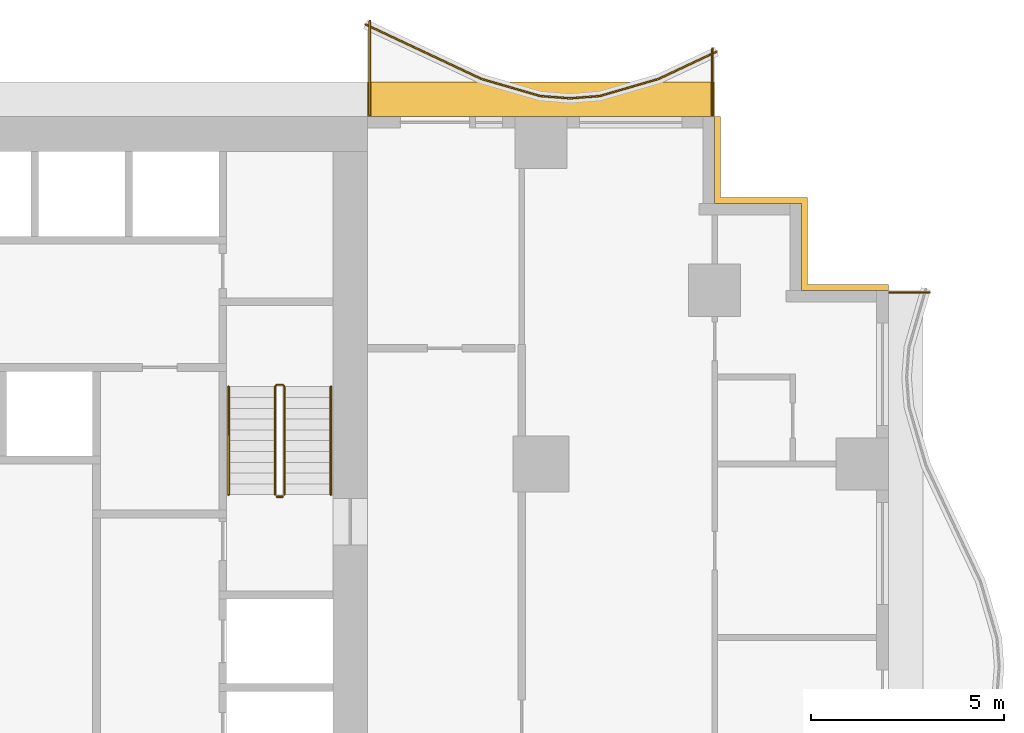
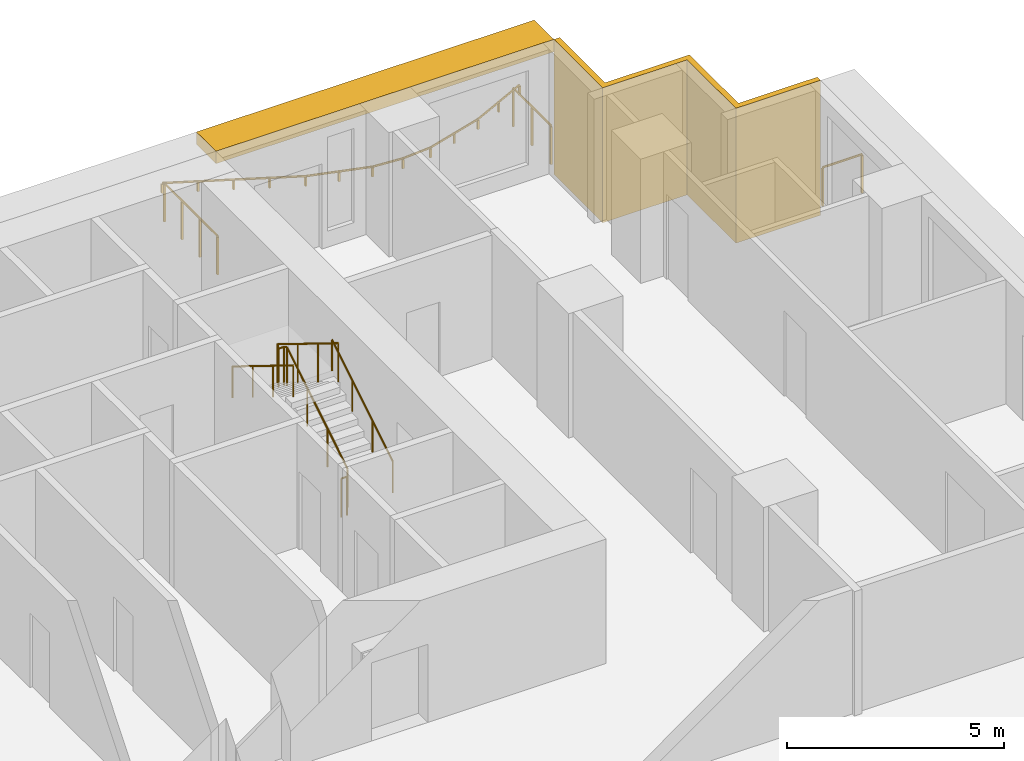
# One storey, part 14 of 14: 8 railings, 2 shading devices.
"""IFC4 building model written with IfcOpenShell, lengths in metres."""

from ifc_helpers import new_model, si_unit, direction, frame, origin, origin_2d, place, context, subcontext, project, spatial, polyline, rectangle, circle, outline, extrude, material, layer, layer_set, type_object, element, save


model = new_model("IFC4")

# Units and contexts
model_context = context("Model", 3, precision=1e-05, world=origin(), true_north=direction((0.0, 1.0)))
body_context = subcontext(model_context, "Body", "Model", "MODEL_VIEW")
ifc_project = project(units=[si_unit("LENGTHUNIT", "METRE"), si_unit("AREAUNIT", "SQUARE_METRE"), si_unit("VOLUMEUNIT", "CUBIC_METRE"), si_unit("PLANEANGLEUNIT", "RADIAN"), si_unit("MASSUNIT", "GRAM", prefix="KILO")], contexts=[model_context])

# Site, building, storey
site_placement = place(None, origin())
site = spatial("IfcSite", under=ifc_project, at=site_placement, CompositionType="ELEMENT")
building_placement = place(site_placement, origin())
building = spatial("IfcBuilding", under=site, at=building_placement, Name="Orbiselva Terraces", CompositionType="ELEMENT")
storey_placement = place(building_placement, frame((0.0, 0.0, 60.6)))
storey = spatial("IfcBuildingStorey", under=building, at=storey_placement, Name="L15", CompositionType="ELEMENT", Elevation=60.6)

# Railings
ifc_material_1 = material(Name="Stainless steel", Category="steel")
railing_type_1 = type_object("IfcRailingType", Name="CORE-GUARD-1100", PredefinedType="GUARDRAIL", material=ifc_material_1)
railing_1_placement = place(storey_placement, frame((11.35, 12.7, 0.172727)))
element("IfcRailing", 1, at=railing_1_placement, inside=storey, type_object=railing_type_1, Name="L15 S2 stair guard 1", PredefinedType="GUARDRAIL", context=body_context, shape_type="SweptSolid", body=[
    extrude(circle(Radius=0.024, at=origin_2d()), frame((0.0, 0.0, 1.081), z_axis=(0.0, 0.851088519012, 0.52502222125), x_axis=(-1.0, 0.0, 0.0)), (0.0, 0.0, 1.0), 3.289905),
    extrude(circle(Radius=0.024, at=origin_2d()), frame((0.0, 2.8, 2.808273), z_axis=(-0.707106781187, 0.707106781187, 0.0), x_axis=(-0.707106781187, -0.707106781187, 0.0)), (0.0, 0.0, 1.0), 0.070711),
    extrude(circle(Radius=0.024, at=origin_2d()), frame((-0.05, 2.85, 2.808273), z_axis=(-1.0, 0.0, 0.0), x_axis=(0.0, -1.0, 0.0)), (0.0, 0.0, 1.0), 0.15),
    extrude(circle(Radius=0.024, at=origin_2d()), frame((-0.2, 2.85, 2.808273), z_axis=(-0.267894925557, -0.267894925557, 0.925453736133), x_axis=(0.707106781187, -0.707106781187, 0.0)), (0.0, 0.0, 1.0), 0.18664),
    extrude(circle(Radius=0.024, at=origin_2d()), frame((-0.25, 2.8, 2.981), z_axis=(0.0, -0.851088519012, 0.52502222125), x_axis=(1.0, 0.0, 0.0)), (0.0, 0.0, 1.0), 3.289905),
    extrude(circle(Radius=0.021, at=origin_2d()), origin(), (0.0, 0.0, 1.0), 1.057),
    extrude(circle(Radius=0.021, at=origin_2d()), frame((0.0, 0.933333, 0.575758)), (0.0, 0.0, 1.0), 1.057),
    extrude(circle(Radius=0.021, at=origin_2d()), frame((0.0, 1.866667, 1.151515)), (0.0, 0.0, 1.0), 1.057),
    extrude(circle(Radius=0.021, at=origin_2d()), frame((0.0, 2.8, 1.727273)), (0.0, 0.0, 1.0), 1.057),
    extrude(circle(Radius=0.021, at=origin_2d()), frame((-0.05, 2.85, 1.727273)), (0.0, 0.0, 1.0), 1.057),
    extrude(circle(Radius=0.021, at=origin_2d()), frame((-0.2, 2.85, 1.727273)), (0.0, 0.0, 1.0), 1.057),
    extrude(circle(Radius=0.021, at=origin_2d()), frame((-0.25, 2.8, 1.9)), (0.0, 0.0, 1.0), 1.057),
    extrude(circle(Radius=0.021, at=origin_2d()), frame((-0.25, 1.866667, 2.475758)), (0.0, 0.0, 1.0), 1.057),
    extrude(circle(Radius=0.021, at=origin_2d()), frame((-0.25, 0.933333, 3.051515)), (0.0, 0.0, 1.0), 1.057),
    extrude(circle(Radius=0.021, at=origin_2d()), frame((-0.25, 0.0, 3.627273)), (0.0, 0.0, 1.0), 1.057),
])
railing_2_placement = place(storey_placement, frame((11.3, 12.65, 0.0)))
element("IfcRailing", 2, at=railing_2_placement, inside=storey, type_object=railing_type_1, Name="L15 S2 stair guard 2", PredefinedType="GUARDRAIL", context=body_context, shape_type="SweptSolid", body=[
    extrude(circle(Radius=0.024, at=origin_2d()), frame((0.0, 0.0, 1.081), z_axis=(-1.0, 0.0, 0.0), x_axis=(0.0, -1.0, 0.0)), (0.0, 0.0, 1.0), 0.15),
    extrude(circle(Radius=0.021, at=origin_2d()), origin(), (0.0, 0.0, 1.0), 1.057),
    extrude(circle(Radius=0.021, at=origin_2d()), frame((-0.15, 0.0, 0.0)), (0.0, 0.0, 1.0), 1.057),
])
railing_type_2 = type_object("IfcRailingType", Name="CORE-HANDRAIL-900", PredefinedType="HANDRAIL", material=ifc_material_1)
railing_3_placement = place(storey_placement, frame((12.55, 12.7, 0.172727)))
element("IfcRailing", 3, at=railing_3_placement, inside=storey, type_object=railing_type_2, Name="L15 S2 stair handrail 1", PredefinedType="HANDRAIL", context=body_context, shape_type="SweptSolid", body=[
    extrude(circle(Radius=0.024, at=origin_2d()), frame((0.0, 0.0, 0.876), z_axis=(0.0, 0.851088519012, 0.52502222125), x_axis=(-1.0, 0.0, 0.0)), (0.0, 0.0, 1.0), 3.289905),
    extrude(circle(Radius=0.021, at=origin_2d()), origin(), (0.0, 0.0, 1.0), 0.852),
    extrude(circle(Radius=0.021, at=origin_2d()), frame((0.0, 0.933333, 0.575758)), (0.0, 0.0, 1.0), 0.852),
    extrude(circle(Radius=0.021, at=origin_2d()), frame((0.0, 1.866667, 1.151515)), (0.0, 0.0, 1.0), 0.852),
    extrude(circle(Radius=0.021, at=origin_2d()), frame((0.0, 2.8, 1.727273)), (0.0, 0.0, 1.0), 0.852),
])
railing_4_placement = place(storey_placement, frame((9.9, 15.5, 2.072727)))
element("IfcRailing", 4, at=railing_4_placement, inside=storey, type_object=railing_type_2, Name="L15 S2 stair handrail 2", PredefinedType="HANDRAIL", context=body_context, shape_type="SweptSolid", body=[
    extrude(circle(Radius=0.024, at=origin_2d()), frame((0.0, 0.0, 0.876), z_axis=(0.0, -0.851088519012, 0.52502222125), x_axis=(1.0, 0.0, 0.0)), (0.0, 0.0, 1.0), 3.289905),
    extrude(circle(Radius=0.021, at=origin_2d()), origin(), (0.0, 0.0, 1.0), 0.852),
    extrude(circle(Radius=0.021, at=origin_2d()), frame((0.0, -0.933333, 0.575758)), (0.0, 0.0, 1.0), 0.852),
    extrude(circle(Radius=0.021, at=origin_2d()), frame((0.0, -1.866667, 1.151515)), (0.0, 0.0, 1.0), 0.852),
    extrude(circle(Radius=0.021, at=origin_2d()), frame((0.0, -2.8, 1.727273)), (0.0, 0.0, 1.0), 0.852),
])
ifc_material_2 = material(Name="Bonded two-ply safety glass balustrade, stainless steel posts", Category="steel")
railing_type_3 = type_object("IfcRailingType", Name="ENV-BALUSTRADE-1200", PredefinedType="BALUSTRADE", material=ifc_material_2)
railing_5_placement = place(storey_placement, frame((22.553191, 24.186882, 0.9)))
element("IfcRailing", 5, at=railing_5_placement, inside=storey, type_object=railing_type_3, Name="Balcony balustrade L15 NE", PredefinedType="BALUSTRADE", context=body_context, shape_type="SweptSolid", body=[
    extrude(outline(polyline([(0.028868, 0.0), (0.014434, 0.025), (-0.014434, 0.025), (-0.028868, 0.0), (-0.014434, -0.025), (0.014434, -0.025), (0.028868, 0.0)])), frame((0.0, 0.0, 0.275), z_axis=(-0.904944157382, -0.425530342069, 0.0), x_axis=(0.425530342069, -0.904944157382, 0.0)), (0.0, 0.0, 1.0), 1.667376),
    extrude(outline(polyline([(0.028868, 0.0), (0.014434, 0.025), (-0.014434, 0.025), (-0.028868, 0.0), (-0.014434, -0.025), (0.014434, -0.025), (0.028868, 0.0)])), frame((-1.508882, -0.709519, 0.275), z_axis=(-0.960270491427, -0.279070928786, 0.0), x_axis=(0.279070928786, -0.960270491427, 0.0)), (0.0, 0.0, 1.0), 1.584712),
    extrude(outline(polyline([(0.028868, 0.0), (0.014434, 0.025), (-0.014434, 0.025), (-0.028868, 0.0), (-0.014434, -0.025), (0.014434, -0.025), (0.028868, 0.0)])), frame((-3.030634, -1.151766, 0.275), z_axis=(-0.996947796737, -0.078071061106, 0.0), x_axis=(0.078071061106, -0.996947796737, 0.0)), (0.0, 0.0, 1.0), 0.774922),
    extrude(outline(polyline([(0.028868, 0.0), (0.014434, 0.025), (-0.014434, 0.025), (-0.028868, 0.0), (-0.014434, -0.025), (0.014434, -0.025), (0.028868, 0.0)])), frame((-3.803191, -1.212265, 0.275), z_axis=(-0.996947796737, 0.078071061106, 0.0), x_axis=(-0.078071061106, -0.996947796737, 0.0)), (0.0, 0.0, 1.0), 0.774922),
    extrude(outline(polyline([(0.028868, 0.0), (0.014434, 0.025), (-0.014434, 0.025), (-0.028868, 0.0), (-0.014434, -0.025), (0.014434, -0.025), (0.028868, 0.0)])), frame((-4.575748, -1.151766, 0.275), z_axis=(-0.960270491427, 0.279070928786, 0.0), x_axis=(-0.279070928786, -0.960270491427, 0.0)), (0.0, 0.0, 1.0), 1.584712),
    extrude(outline(polyline([(0.028868, 0.0), (0.014434, 0.025), (-0.014434, 0.025), (-0.028868, 0.0), (-0.014434, -0.025), (0.014434, -0.025), (0.028868, 0.0)])), frame((-6.0975, -0.709519, 0.275), z_axis=(-0.904944157382, 0.425530342069, 0.0), x_axis=(-0.425530342069, -0.904944157382, 0.0)), (0.0, 0.0, 1.0), 1.667376),
    extrude(outline(polyline([(0.028868, 0.0), (0.014434, 0.025), (-0.014434, 0.025), (-0.028868, 0.0), (-0.014434, -0.025), (0.014434, -0.025), (0.028868, 0.0)])), frame((-7.606382, 0.0, 0.275), z_axis=(-0.904944257823, 0.425530128467, 0.0), x_axis=(-0.425530128467, -0.904944257823, 0.0)), (0.0, 0.0, 1.0), 1.657561),
    extrude(rectangle(XDim=0.05, YDim=0.05, at=origin_2d()), origin(), (0.0, 0.0, 1.0), 0.25),
    extrude(rectangle(XDim=0.05, YDim=0.05, at=origin_2d()), frame((-0.754441, -0.35476, 0.0)), (0.0, 0.0, 1.0), 0.25),
    extrude(rectangle(XDim=0.05, YDim=0.05, at=origin_2d()), frame((-1.508882, -0.709519, 0.0)), (0.0, 0.0, 1.0), 0.25),
    extrude(rectangle(XDim=0.05, YDim=0.05, at=origin_2d()), frame((-2.269758, -0.930643, 0.0)), (0.0, 0.0, 1.0), 0.25),
    extrude(rectangle(XDim=0.05, YDim=0.05, at=origin_2d()), frame((-3.030634, -1.151766, 0.0)), (0.0, 0.0, 1.0), 0.25),
    extrude(rectangle(XDim=0.05, YDim=0.05, at=origin_2d()), frame((-3.803191, -1.212265, 0.0)), (0.0, 0.0, 1.0), 0.25),
    extrude(rectangle(XDim=0.05, YDim=0.05, at=origin_2d()), frame((-4.575748, -1.151766, 0.0)), (0.0, 0.0, 1.0), 0.25),
    extrude(rectangle(XDim=0.05, YDim=0.05, at=origin_2d()), frame((-5.336624, -0.930643, 0.0)), (0.0, 0.0, 1.0), 0.25),
    extrude(rectangle(XDim=0.05, YDim=0.05, at=origin_2d()), frame((-6.0975, -0.709519, 0.0)), (0.0, 0.0, 1.0), 0.25),
    extrude(rectangle(XDim=0.05, YDim=0.05, at=origin_2d()), frame((-6.851941, -0.35476, 0.0)), (0.0, 0.0, 1.0), 0.25),
    extrude(rectangle(XDim=0.05, YDim=0.05, at=origin_2d()), frame((-7.606382, 0.0, 0.0)), (0.0, 0.0, 1.0), 0.25),
    extrude(rectangle(XDim=0.05, YDim=0.05, at=origin_2d()), frame((-8.356382, 0.352671, 0.0)), (0.0, 0.0, 1.0), 0.25),
    extrude(rectangle(XDim=0.05, YDim=0.05, at=origin_2d()), frame((-9.106382, 0.705342, 0.0)), (0.0, 0.0, 1.0), 0.25),
])
ifc_material_3 = material(Name="Stainless steel rail and posts", Category="steel")
railing_type_4 = type_object("IfcRailingType", Name="ENV-GUARD-1105", PredefinedType="BALUSTRADE", material=ifc_material_3)
railing_6_placement = place(storey_placement, frame((28.070484, 17.94, 0.0)))
element("IfcRailing", 6, at=railing_6_placement, inside=storey, type_object=railing_type_4, Name="Balcony end guard L15 E", PredefinedType="BALUSTRADE", context=body_context, shape_type="SweptSolid", body=[
    extrude(outline(polyline([(0.028868, 0.0), (0.014434, 0.025), (-0.014434, 0.025), (-0.028868, 0.0), (-0.014434, -0.025), (0.014434, -0.025), (0.028868, 0.0)])), frame((0.0, 0.0, 1.08), z_axis=(-1.0, 0.0, 0.0), x_axis=(0.0, -1.0, 0.0)), (0.0, 0.0, 1.0), 1.045484),
    extrude(rectangle(XDim=0.05, YDim=0.05, at=origin_2d()), origin(), (0.0, 0.0, 1.0), 1.055),
    extrude(rectangle(XDim=0.05, YDim=0.05, at=origin_2d()), frame((-1.045484, 0.0, 0.0)), (0.0, 0.0, 1.0), 1.055),
])
railing_7_placement = place(storey_placement, frame((22.44, 24.269844, 0.0)))
element("IfcRailing", 7, at=railing_7_placement, inside=storey, type_object=railing_type_4, Name="Balcony end guard L15 NE", PredefinedType="BALUSTRADE", context=body_context, shape_type="SweptSolid", body=[
    extrude(outline(polyline([(0.028868, 0.0), (0.014434, 0.025), (-0.014434, 0.025), (-0.028868, 0.0), (-0.014434, -0.025), (0.014434, -0.025), (0.028868, 0.0)])), frame((0.0, 0.0, 1.08), z_axis=(0.0, -1.0, 0.0), x_axis=(1.0, 0.0, 0.0)), (0.0, 0.0, 1.0), 1.744844),
    extrude(rectangle(XDim=0.05, YDim=0.05, at=origin_2d()), origin(), (0.0, 0.0, 1.0), 1.055),
    extrude(rectangle(XDim=0.05, YDim=0.05, at=origin_2d()), frame((0.0, -0.872422, 0.0)), (0.0, 0.0, 1.0), 1.055),
    extrude(rectangle(XDim=0.05, YDim=0.05, at=origin_2d()), frame((0.0, -1.744844, 0.0)), (0.0, 0.0, 1.0), 1.055),
])
railing_8_placement = place(storey_placement, frame((13.56, 24.980723, 0.0)))
element("IfcRailing", 8, at=railing_8_placement, inside=storey, type_object=railing_type_4, Name="Balcony end guard L15 NE", PredefinedType="BALUSTRADE", context=body_context, shape_type="SweptSolid", body=[
    extrude(outline(polyline([(0.028868, 0.0), (0.014434, 0.025), (-0.014434, 0.025), (-0.028868, 0.0), (-0.014434, -0.025), (0.014434, -0.025), (0.028868, 0.0)])), frame((0.0, 0.0, 1.08), z_axis=(0.0, -1.0, 0.0), x_axis=(1.0, 0.0, 0.0)), (0.0, 0.0, 1.0), 2.455723),
    extrude(rectangle(XDim=0.05, YDim=0.05, at=origin_2d()), origin(), (0.0, 0.0, 1.0), 1.055),
    extrude(rectangle(XDim=0.05, YDim=0.05, at=origin_2d()), frame((0.0, -0.818574, 0.0)), (0.0, 0.0, 1.0), 1.055),
    extrude(rectangle(XDim=0.05, YDim=0.05, at=origin_2d()), frame((0.0, -1.637149, 0.0)), (0.0, 0.0, 1.0), 1.055),
    extrude(rectangle(XDim=0.05, YDim=0.05, at=origin_2d()), frame((0.0, -2.455723, 0.0)), (0.0, 0.0, 1.0), 1.055),
])

# Shading devices
ifc_material_4 = material(Name="Terracotta louvre screen", Category="masonry")
ifc_layer_1 = layer(ifc_material_4, 0.15)
ifc_layer_set_1 = layer_set([ifc_layer_1], Name="Terracotta louvre screen")
shading_device_type_1 = type_object("IfcShadingDeviceType", Name="ENV-SCREEN-150", PredefinedType="USERDEFINED", material=ifc_layer_set_1)
shading_device_1_placement = place(storey_placement, frame((0.0, 0.0, -0.3)))
element("IfcShadingDevice", 9, at=shading_device_1_placement, inside=storey, type_object=shading_device_type_1, Name="Louvre screen L15 NE", ObjectType="SCREEN", PredefinedType="USERDEFINED", context=body_context, shape_type="SweptSolid", body=[
    extrude(outline(polyline([(27.0, 18.15), (24.9, 18.15), (24.9, 20.4), (22.65, 20.4), (22.65, 22.5), (22.5, 22.5), (22.5, 20.25), (24.75, 20.25), (24.75, 18.0), (27.0, 18.0), (27.0, 18.15)])), origin(), (0.0, 0.0, 1.0), 3.8),
])
ifc_material_5 = material(Name="Terracotta baguette sunshade", Category="masonry")
ifc_layer_2 = layer(ifc_material_5, 0.35)
ifc_layer_set_2 = layer_set([ifc_layer_2], Name="Terracotta baguette sunshade")
shading_device_type_2 = type_object("IfcShadingDeviceType", Name="ENV-SUNSHADE-900x350", PredefinedType="USERDEFINED", material=ifc_layer_set_2)
shading_device_2_placement = place(storey_placement, frame((0.0, 0.0, 3.15)))
element("IfcShadingDevice", 10, at=shading_device_2_placement, inside=storey, type_object=shading_device_type_2, Name="Sunshade band L15 NE", ObjectType="SUNSHADE", PredefinedType="USERDEFINED", context=body_context, shape_type="SweptSolid", body=[
    extrude(outline(polyline([(22.5, 23.4), (13.5, 23.4), (13.5, 22.5), (22.5, 22.5), (22.5, 23.4)])), origin(), (0.0, 0.0, 1.0), 0.35),
])

save(model, "model.ifc")
